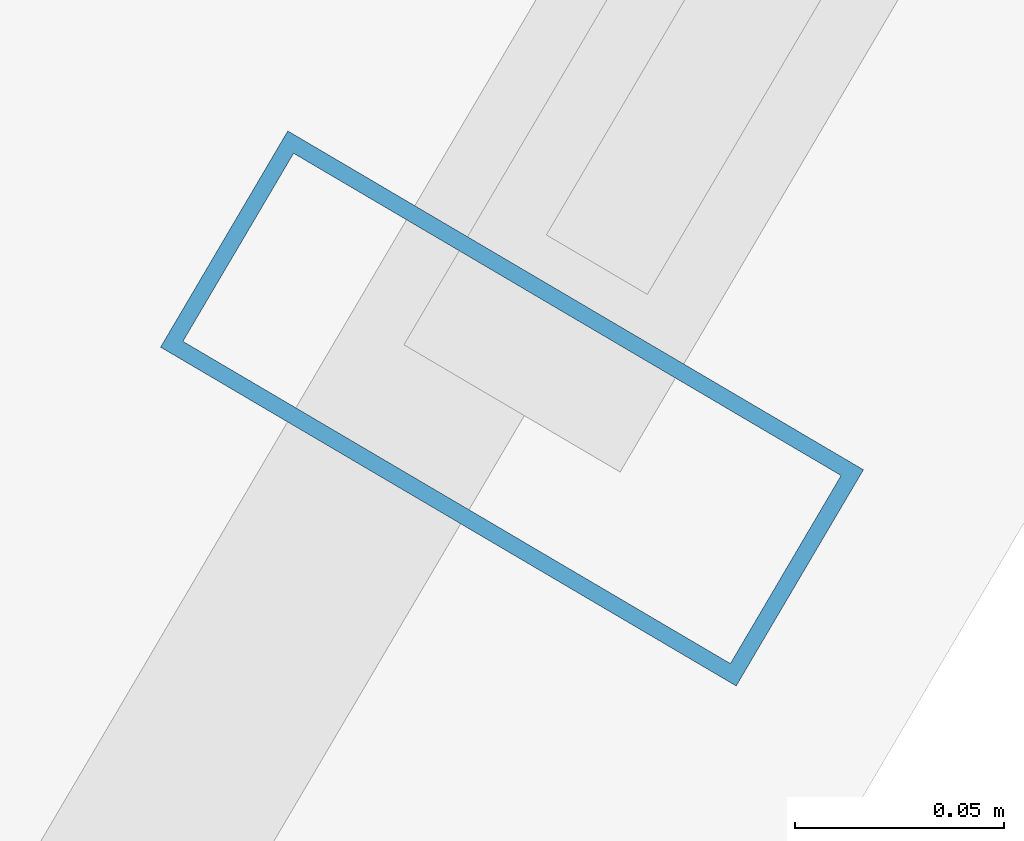
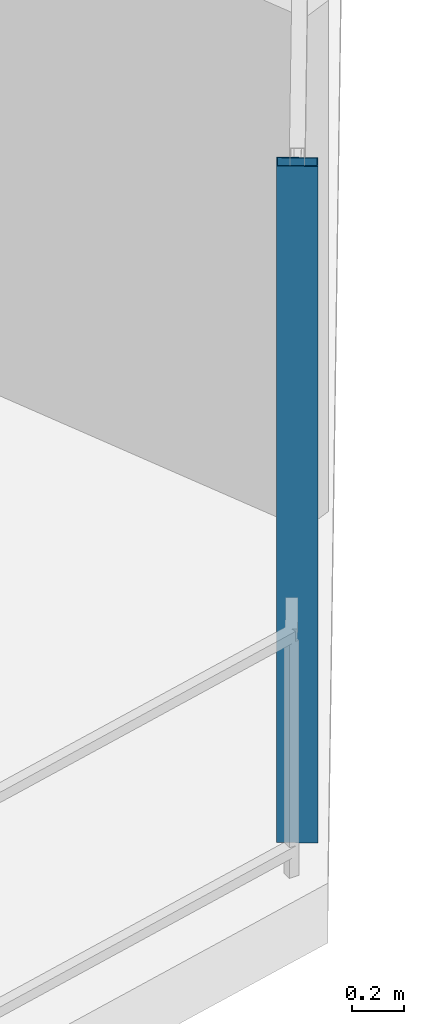
# One storey, part 6 of 31: 1 member, 1 element without a shape of its own.
"""IFC4 building model written with IfcOpenShell, lengths in metres."""

from ifc_helpers import new_model, si_unit, direction, frame, origin, origin_2d, place, context, subcontext, project, spatial, hollow_rectangle, extrude, material, layer, layer_set, material_profile, profile_set, type_object, element, aggregate, save


model = new_model("IFC4")

# Units and contexts
model_context = context("Model", 3, precision=1e-05, world=origin(), true_north=direction((0.0, 1.0)))
body_context = subcontext(model_context, "Body", "Model", "MODEL_VIEW")
ifc_project = project(units=[si_unit("LENGTHUNIT", "METRE"), si_unit("AREAUNIT", "SQUARE_METRE"), si_unit("VOLUMEUNIT", "CUBIC_METRE"), si_unit("PLANEANGLEUNIT", "RADIAN"), si_unit("MASSUNIT", "GRAM", prefix="KILO")], contexts=[model_context])

# Site, building, storey
site_placement = place(None, origin())
site = spatial("IfcSite", under=ifc_project, at=site_placement, CompositionType="ELEMENT")
building_placement = place(site_placement, origin())
building = spatial("IfcBuilding", under=site, at=building_placement, Name="Qarnah Convention Tower", CompositionType="ELEMENT")
storey_placement = place(building_placement, frame((0.0, 0.0, 64.949951171875)))
storey = spatial("IfcBuildingStorey", under=building, at=storey_placement, Name="L16", CompositionType="ELEMENT", Elevation=64.949951171875)

# Curtain wall, member
ifc_material_1 = material(Name="Tempered Low-E dark glass", Category="glass")
ifc_layer = layer(ifc_material_1, 0.16796875)
ifc_layer_set = layer_set([ifc_layer], Name="Tempered Low-E dark glass")
curtain_wall_type = type_object("IfcCurtainWallType", Name="CWS-01", PredefinedType="NOTDEFINED", material=ifc_layer_set)
curtain_wall_placement = place(storey_placement, origin())
curtain_wall = element("IfcCurtainWall", 1, at=curtain_wall_placement, inside=storey, type_object=curtain_wall_type, Name="L16 unitised curtain wall CW-L16-F2", PredefinedType="NOTDEFINED")
ifc_material_2 = material(Name="Black anodised aluminium", Category="aluminium")
ifc_material_profile = material_profile(ifc_material_2, hollow_rectangle(XDim=0.06005859375, YDim=0.159912109375, WallThickness=0.00390625, at=origin_2d()), Name="MUL-60X160")
ifc_profile_set = profile_set([ifc_material_profile], Name="Black anodised aluminium")
member_type = type_object("IfcMemberType", Name="MUL-T1", PredefinedType="MULLION", material=ifc_profile_set)
member_placement = place(storey_placement, frame((45.469970703125, 1.7880859375, 0.0), z_axis=(0.0, 0.0, 1.0), x_axis=(-0.507200534441, -0.86182806746, 0.0)))
member = element("IfcMember", 2, at=member_placement, type_object=member_type, Name="CW-L16-F2 mullion 6", PredefinedType="MULLION", context=body_context, shape_type="SweptSolid", body=[
    extrude(hollow_rectangle(XDim=0.06005859375, YDim=0.159912109375, WallThickness=0.00390625, at=origin_2d()), origin(), (0.0, 0.0, 1.0), 3.170166015625),
])
aggregate(curtain_wall, [member])

save(model, "model.ifc")
